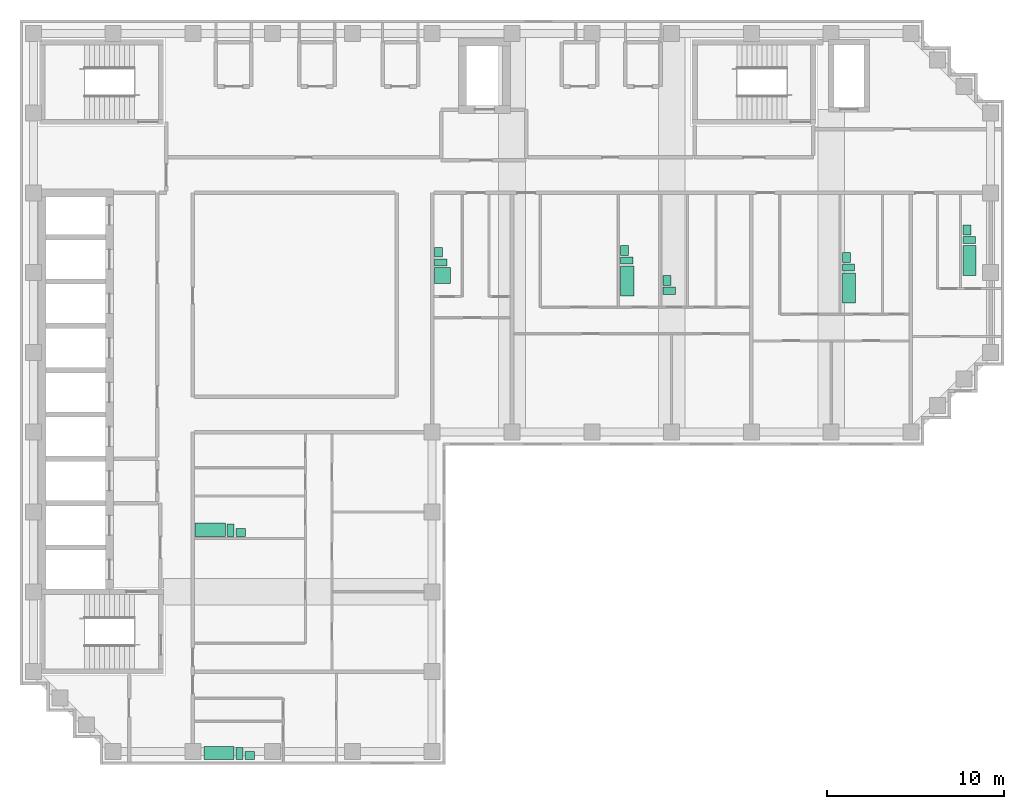
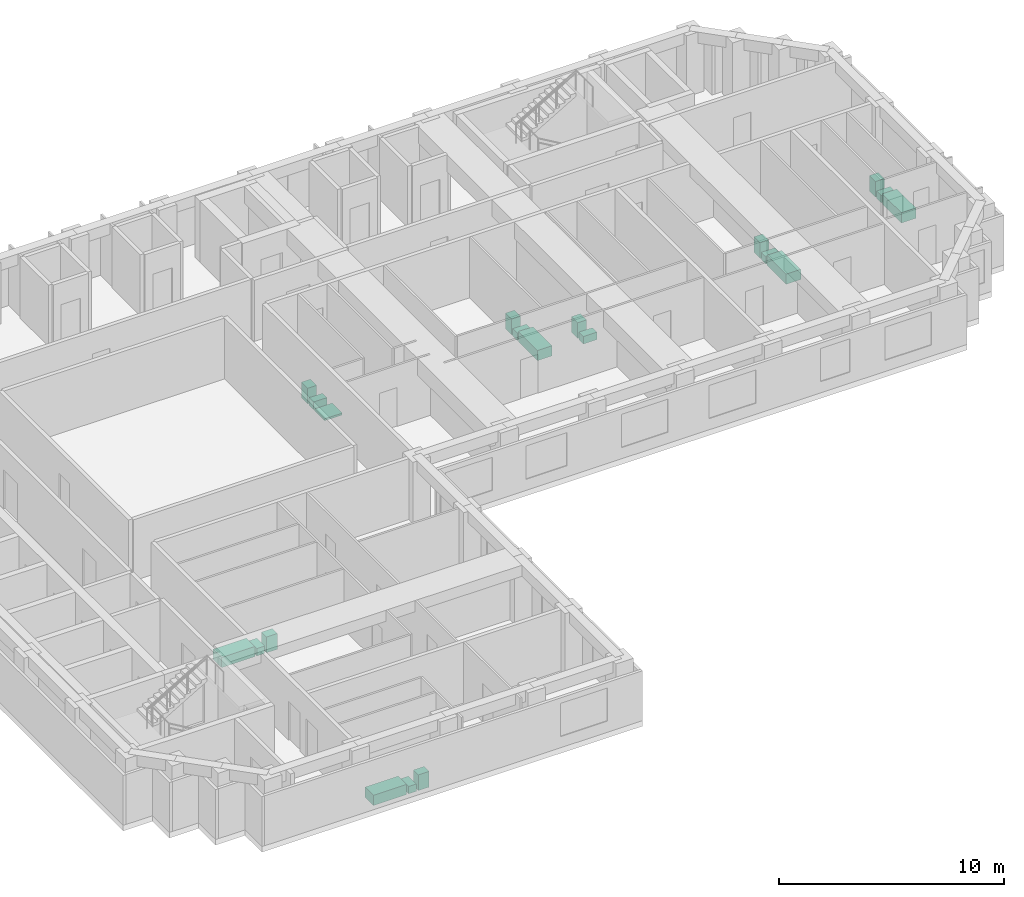
# One storey, part 9 of 9: 20 sanitary terminals.
"""IFC4 building model written with IfcOpenShell, lengths in metres."""

from ifc_helpers import new_model, si_unit, direction, frame, origin, origin_2d, place, context, subcontext, project, spatial, rectangle, extrude, material, type_object, element, save


model = new_model("IFC4")

# Units and contexts
model_context = context("Model", 3, precision=1e-05, world=origin(), true_north=direction((0.0, 1.0)))
body_context = subcontext(model_context, "Body", "Model", "MODEL_VIEW")
ifc_project = project(units=[si_unit("LENGTHUNIT", "METRE"), si_unit("AREAUNIT", "SQUARE_METRE"), si_unit("VOLUMEUNIT", "CUBIC_METRE"), si_unit("PLANEANGLEUNIT", "RADIAN"), si_unit("MASSUNIT", "GRAM", prefix="KILO")], contexts=[model_context])

# Site, building, storey
site_placement = place(None, origin())
site = spatial("IfcSite", under=ifc_project, at=site_placement, CompositionType="ELEMENT")
building_placement = place(site_placement, origin())
building = spatial("IfcBuilding", under=site, at=building_placement, Name="Firuza Court", CompositionType="ELEMENT")
storey_placement = place(building_placement, frame((0.0, 0.0, 218.60009765625)))
storey = spatial("IfcBuildingStorey", under=building, at=storey_placement, Name="L56", CompositionType="ELEMENT", Elevation=218.60009765625)

# Sanitary terminals
ifc_material_1 = material(Name="Vitreous china", Category="ceramic")
sanitary_terminal_type_1 = type_object("IfcSanitaryTerminalType", Name="Fixture Bath", PredefinedType="BATH", material=ifc_material_1)
for number, where, z_axis, x_axis, name in (
    (1, (33.5048828125, 44.530029296875, 0.0), (0.0, 0.0, 1.0), (1.0, 0.0, 0.0), "Bath"),
    (2, (46.0048828125, 44.1298828125, 0.0), (0.0, 0.0, 1.0), (1.0, 0.0, 0.0), "Bath"),
    (3, (52.804931640625, 45.679931640625, 0.0), (0.0, 0.0, 1.0), (1.0, 0.0, 0.0), "Bath"),
):
    element("IfcSanitaryTerminal", number, at=place(storey_placement, frame(where, z_axis=z_axis, x_axis=x_axis)), inside=storey, type_object=sanitary_terminal_type_1, Name=name, PredefinedType="BATH", context=body_context, shape_type="SweptSolid", body=[
        extrude(rectangle(XDim=0.75, YDim=1.699951171875, at=origin_2d()), origin(), (0.0, 0.0, 1.0), 0.550048828125),
    ])
for number, where, z_axis, x_axis, name in (
    (4, (9.97998046875, 30.5048828125, 0.0), (0.0, 0.0, 1.0), (1.0, 0.0, 0.0), "Bath"),
    (5, (10.47998046875, 17.905029296875, 0.0), (0.0, 0.0, 1.0), (1.0, 0.0, 0.0), "Bath"),
):
    element("IfcSanitaryTerminal", number, at=place(storey_placement, frame(where, z_axis=z_axis, x_axis=x_axis)), inside=storey, type_object=sanitary_terminal_type_1, Name=name, PredefinedType="BATH", context=body_context, shape_type="SweptSolid", body=[
        extrude(rectangle(XDim=1.699951171875, YDim=0.75, at=origin_2d()), origin(), (0.0, 0.0, 1.0), 0.550048828125),
    ])
ifc_material_2 = material(Name="Vitreous china", Category="ceramic")
sanitary_terminal_type_2 = type_object("IfcSanitaryTerminalType", Name="Fixture Shower tray", PredefinedType="SHOWER", material=ifc_material_2)
sanitary_terminal_placement = place(storey_placement, frame((23.080078125, 44.830078125, -0.000244140625), z_axis=(0.0, 0.0, 1.0), x_axis=(1.0, 0.0, 0.0)))
element("IfcSanitaryTerminal", 6, at=sanitary_terminal_placement, inside=storey, type_object=sanitary_terminal_type_2, Name="Shower tray", PredefinedType="SHOWER", context=body_context, shape_type="SweptSolid", body=[
    extrude(rectangle(XDim=0.89990234375, YDim=0.89990234375, at=origin_2d()), origin(), (0.0, 0.0, 1.0), 0.10009765625),
])
ifc_material_3 = material(Name="Vitreous china", Category="ceramic")
sanitary_terminal_type_3 = type_object("IfcSanitaryTerminalType", Name="Fixture WC pan", PredefinedType="TOILETPAN", material=ifc_material_3)
for number, where, z_axis, x_axis, name in (
    (7, (22.97998046875, 45.580078125, 0.0), (0.0, 0.0, 1.0), (1.0, 0.0, 0.0), "WC pan"),
    (8, (33.47998046875, 45.679931640625, 0.0), (0.0, 0.0, 1.0), (1.0, 0.0, 0.0), "WC pan"),
    (9, (35.8798828125, 43.97998046875, 0.0), (0.0, 0.0, 1.0), (1.0, 0.0, 0.0), "WC pan"),
    (10, (45.97998046875, 45.280029296875, 0.0), (0.0, 0.0, 1.0), (1.0, 0.0, 0.0), "WC pan"),
    (11, (52.780029296875, 46.830078125, 0.0), (0.0, 0.0, 1.0), (1.0, 0.0, 0.0), "WC pan"),
):
    element("IfcSanitaryTerminal", number, at=place(storey_placement, frame(where, z_axis=z_axis, x_axis=x_axis)), inside=storey, type_object=sanitary_terminal_type_3, Name=name, PredefinedType="TOILETPAN", context=body_context, shape_type="SweptSolid", body=[
        extrude(rectangle(XDim=0.699951171875, YDim=0.39990234375, at=origin_2d()), origin(), (0.0, 0.0, 1.0), 0.39990234375),
    ])
for number, where, z_axis, x_axis, name in (
    (12, (11.1298828125, 30.47998046875, 0.0), (0.0, 0.0, 1.0), (1.0, 0.0, 0.0), "WC pan"),
    (13, (11.6298828125, 17.8798828125, 0.0), (0.0, 0.0, 1.0), (1.0, 0.0, 0.0), "WC pan"),
):
    element("IfcSanitaryTerminal", number, at=place(storey_placement, frame(where, z_axis=z_axis, x_axis=x_axis)), inside=storey, type_object=sanitary_terminal_type_3, Name=name, PredefinedType="TOILETPAN", context=body_context, shape_type="SweptSolid", body=[
        extrude(rectangle(XDim=0.39990234375, YDim=0.699951171875, at=origin_2d()), origin(), (0.0, 0.0, 1.0), 0.39990234375),
    ])
ifc_material_4 = material(Name="Vitreous china", Category="ceramic")
sanitary_terminal_type_4 = type_object("IfcSanitaryTerminalType", Name="Fixture Washbasin", PredefinedType="WASHHANDBASIN", material=ifc_material_4)
for number, where, z_axis, x_axis, name in (
    (14, (22.85498046875, 46.155029296875, -0.000244140625), (0.0, 0.0, 1.0), (1.0, 0.0, 0.0), "Washbasin"),
    (15, (33.35498046875, 46.2548828125, -0.000244140625), (0.0, 0.0, 1.0), (1.0, 0.0, 0.0), "Washbasin"),
    (16, (35.7548828125, 44.554931640625, -0.000244140625), (0.0, 0.0, 1.0), (1.0, 0.0, 0.0), "Washbasin"),
    (17, (45.85498046875, 45.85498046875, -0.000244140625), (0.0, 0.0, 1.0), (1.0, 0.0, 0.0), "Washbasin"),
    (18, (52.655029296875, 47.405029296875, -0.000244140625), (0.0, 0.0, 1.0), (1.0, 0.0, 0.0), "Washbasin"),
):
    element("IfcSanitaryTerminal", number, at=place(storey_placement, frame(where, z_axis=z_axis, x_axis=x_axis)), inside=storey, type_object=sanitary_terminal_type_4, Name=name, PredefinedType="WASHHANDBASIN", context=body_context, shape_type="SweptSolid", body=[
        extrude(rectangle(XDim=0.449951171875, YDim=0.550048828125, at=origin_2d()), origin(), (0.0, 0.0, 1.0), 0.85009765625),
    ])
for number, where, z_axis, x_axis, name in (
    (19, (11.705078125, 30.35498046875, -0.000244140625), (0.0, 0.0, 1.0), (1.0, 0.0, 0.0), "Washbasin"),
    (20, (12.205078125, 17.7548828125, -0.000244140625), (0.0, 0.0, 1.0), (1.0, 0.0, 0.0), "Washbasin"),
):
    element("IfcSanitaryTerminal", number, at=place(storey_placement, frame(where, z_axis=z_axis, x_axis=x_axis)), inside=storey, type_object=sanitary_terminal_type_4, Name=name, PredefinedType="WASHHANDBASIN", context=body_context, shape_type="SweptSolid", body=[
        extrude(rectangle(XDim=0.550048828125, YDim=0.449951171875, at=origin_2d()), origin(), (0.0, 0.0, 1.0), 0.85009765625),
    ])

save(model, "model.ifc")
